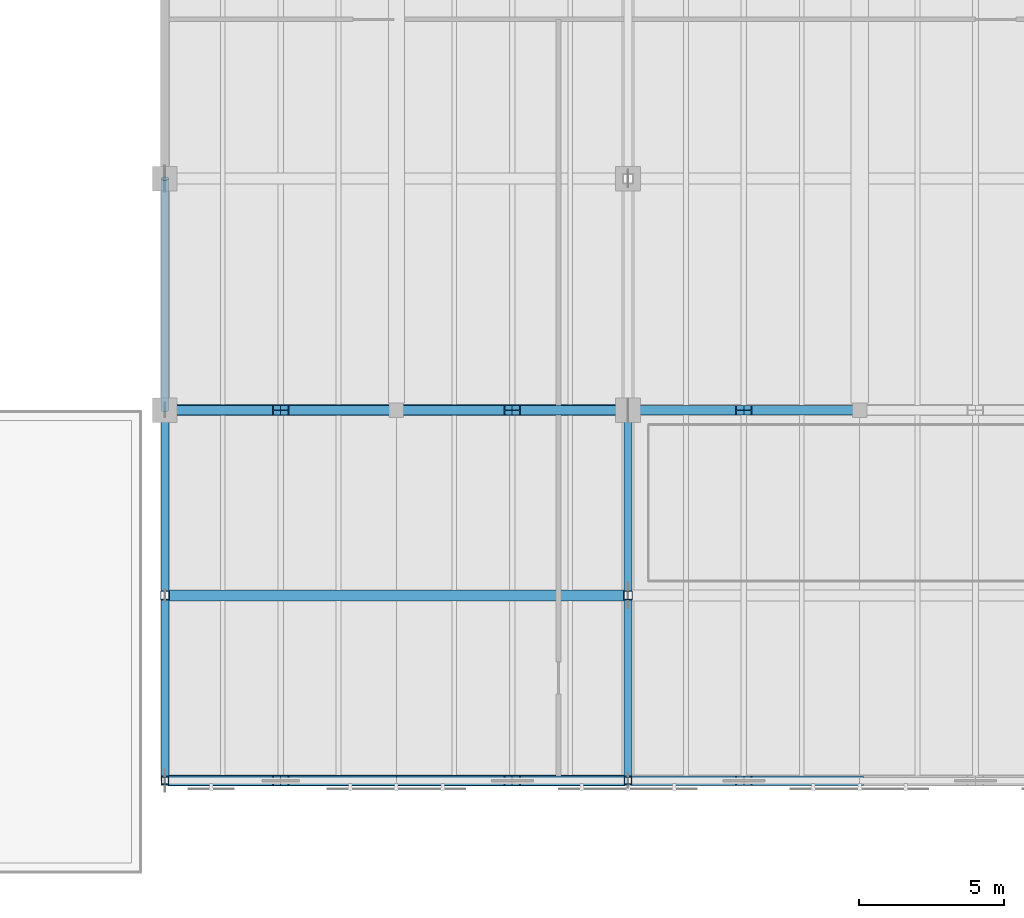
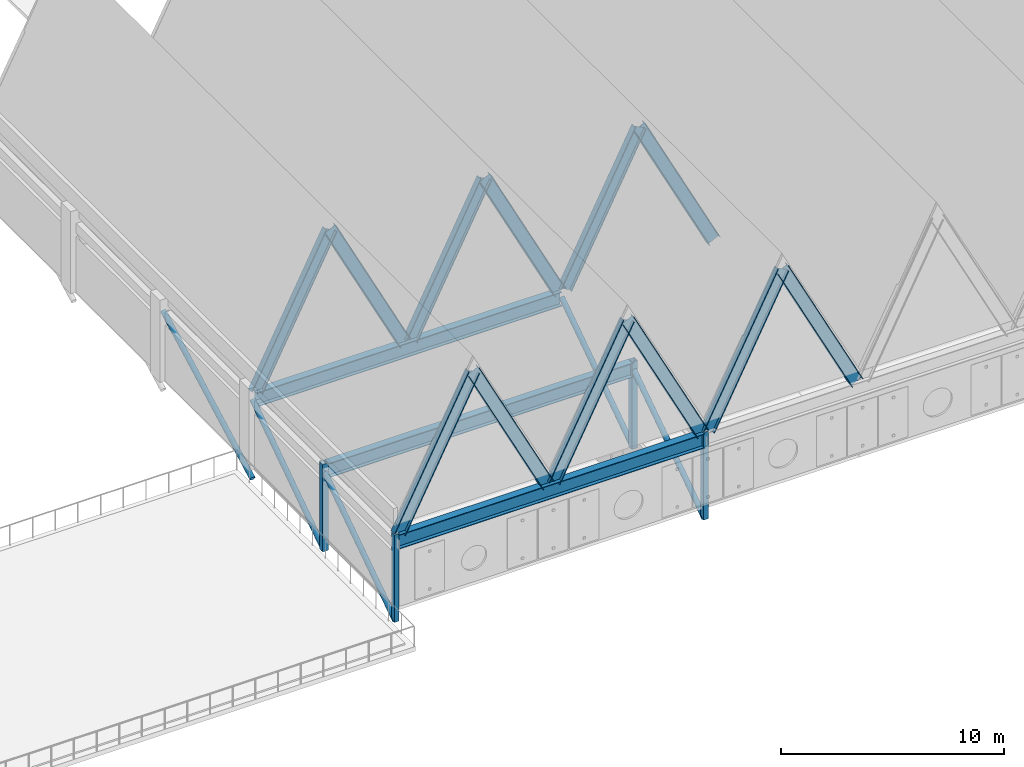
# One storey, part 3 of 72: 21 members, 3 beams.
"""IFC4 building model written with IfcOpenShell, lengths in metres."""

from ifc_helpers import new_model, si_unit, direction, frame, origin, origin_2d, place, context, subcontext, project, spatial, hollow_rectangle, hollow_circle, i_section, extrude, material, material_profile, profile_set, type_object, element, save


model = new_model("IFC4")

# Units and contexts
model_context = context("Model", 3, precision=1e-05, world=origin(), true_north=direction((0.0, 1.0)))
body_context = subcontext(model_context, "Body", "Model", "MODEL_VIEW")
ifc_project = project(units=[si_unit("LENGTHUNIT", "METRE"), si_unit("AREAUNIT", "SQUARE_METRE"), si_unit("VOLUMEUNIT", "CUBIC_METRE"), si_unit("PLANEANGLEUNIT", "RADIAN"), si_unit("MASSUNIT", "GRAM", prefix="KILO")], contexts=[model_context])

# Site, building, storey
site_placement = place(None, origin())
site = spatial("IfcSite", under=ifc_project, at=site_placement, CompositionType="ELEMENT")
building_placement = place(site_placement, origin())
building = spatial("IfcBuilding", under=site, at=building_placement, Name="Tlaxcora Railside Police Headquarters", CompositionType="ELEMENT")
storey_placement = place(building_placement, frame((0.0, 0.0, 13.5)))
storey = spatial("IfcBuildingStorey", under=building, at=storey_placement, Name="L03", CompositionType="ELEMENT", Elevation=13.5)

# Members
ifc_material = material(Name="Steel ASTM A992 Grade 50", Category="steel")
ifc_material_profile_1 = material_profile(ifc_material, hollow_circle(Radius=0.136474609375, WallThickness=0.011962890625, at=origin_2d()), Name="CHS273X12")
ifc_profile_set_1 = profile_set([ifc_material_profile_1], Name="Steel ASTM A992 Grade 50")
member_type_1 = type_object("IfcMemberType", Name="Diagonal Brace Member MB-16", PredefinedType="BRACE", material=ifc_profile_set_1)
member_1_placement = place(storey_placement, frame((46.0, 44.0, 3.52001953125), z_axis=(0.0, -0.879902254176, -0.475154735951), x_axis=(1.0, 0.0, 0.0)))
element("IfcMember", 1, at=member_1_placement, inside=storey, type_object=member_type_1, Name="Truss TR-1 L03 web diagonal 3", PredefinedType="BRACE", context=body_context, shape_type="SweptSolid", body=[
    extrude(hollow_circle(Radius=0.136474609375, WallThickness=0.011962890625, at=origin_2d()), origin(), (0.0, 0.0, 1.0), 9.092041015625),
])
member_2_placement = place(storey_placement, frame((46.0, 36.0, 3.52001953125), z_axis=(0.0, -0.828840609912, -0.559484801724), x_axis=(1.0, 0.0, 0.0)))
element("IfcMember", 2, at=member_2_placement, inside=storey, type_object=member_type_1, Name="Truss TR-1 L03 web diagonal 4", PredefinedType="BRACE", context=body_context, shape_type="SweptSolid", body=[
    extrude(hollow_circle(Radius=0.136474609375, WallThickness=0.011962890625, at=origin_2d()), origin(), (0.0, 0.0, 1.0), 7.721435546875),
])
member_3_placement = place(storey_placement, frame((46.0, 29.60009765625, 3.52001953125), z_axis=(0.0, -0.828850506768, -0.559470139892), x_axis=(1.0, 0.0, 0.0)))
element("IfcMember", 3, at=member_3_placement, inside=storey, type_object=member_type_1, Name="Truss TR-1 L03 web diagonal 5", PredefinedType="BRACE", context=body_context, shape_type="SweptSolid", body=[
    extrude(hollow_circle(Radius=0.136474609375, WallThickness=0.011962890625, at=origin_2d()), origin(), (0.0, 0.0, 1.0), 7.7216796875),
])
member_4_placement = place(storey_placement, frame((62.0, 36.0, 3.52001953125), z_axis=(0.0, -0.828840609912, -0.559484801724), x_axis=(1.0, 0.0, 0.0)))
element("IfcMember", 4, at=member_4_placement, inside=storey, type_object=member_type_1, Name="Truss TR-2 L03 web diagonal 4", PredefinedType="BRACE", context=body_context, shape_type="SweptSolid", body=[
    extrude(hollow_circle(Radius=0.136474609375, WallThickness=0.011962890625, at=origin_2d()), origin(), (0.0, 0.0, 1.0), 7.721435546875),
])
member_5_placement = place(storey_placement, frame((62.0, 29.60009765625, 3.52001953125), z_axis=(0.0, -0.828850506768, -0.559470139892), x_axis=(1.0, 0.0, 0.0)))
element("IfcMember", 5, at=member_5_placement, inside=storey, type_object=member_type_1, Name="Truss TR-2 L03 web diagonal 5", PredefinedType="BRACE", context=body_context, shape_type="SweptSolid", body=[
    extrude(hollow_circle(Radius=0.136474609375, WallThickness=0.011962890625, at=origin_2d()), origin(), (0.0, 0.0, 1.0), 7.7216796875),
])

# Beams
ifc_material_profile_2 = material_profile(ifc_material, i_section(OverallWidth=0.384033203125, OverallDepth=0.784912109375, WebThickness=0.019775390625, FlangeThickness=0.033447265625, at=origin_2d()), Name="W30X211")
ifc_profile_set_2 = profile_set([ifc_material_profile_2], Name="Steel ASTM A992 Grade 50")
beam_type = type_object("IfcBeamType", Name="Primary Frame Girder BM-53", PredefinedType="BEAM", material=ifc_profile_set_2)
for number, where, z_axis, x_axis, name in (
    (6, (46.10009765625, 36.0, 3.5673828125), (1.0, 0.0, 0.0), (0.0, 1.0, 0.0), "Sawtooth roof tie girder Y=36.0"),
    (7, (46.10009765625, 29.60009765625, 3.5673828125), (1.0, 0.0, 0.0), (0.0, 1.0, 0.0), "Sawtooth roof tie girder Y=29.6"),
    (8, (46.10009765625, 23.199951171875, 3.5673828125), (1.0, 0.0, 0.0), (0.0, 1.0, 0.0), "Sawtooth roof tie girder Y=23.2"),
):
    element("IfcBeam", number, at=place(storey_placement, frame(where, z_axis=z_axis, x_axis=x_axis)), inside=storey, type_object=beam_type, Name=name, PredefinedType="BEAM", context=body_context, shape_type="SweptSolid", body=[
        extrude(i_section(OverallWidth=0.384033203125, OverallDepth=0.784912109375, WebThickness=0.019775390625, FlangeThickness=0.033447265625, at=origin_2d()), origin(), (0.0, 0.0, 1.0), 15.7998046875),
    ])

# Members
ifc_material_profile_3 = material_profile(ifc_material, i_section(OverallWidth=0.3291015625, OverallDepth=0.635009765625, WebThickness=0.017822265625, FlangeThickness=0.031005859375, at=origin_2d()), Name="W24X162")
ifc_profile_set_3 = profile_set([ifc_material_profile_3], Name="Steel ASTM A992 Grade 50")
member_type_2 = type_object("IfcMemberType", Name="Truss Chord Member MB-35", PredefinedType="CHORD", material=ifc_profile_set_3)
for number, where, z_axis, x_axis, name in (
    (9, (46.14990234375, 23.199951171875, 3.919921875), (0.455243807773, 0.0, 0.890366820745), (0.0, 1.0, 0.0), "Sawtooth rafter 1W Y=23.2"),
    (10, (53.85009765625, 23.199951171875, 3.919921875), (-0.455243807773, 0.0, 0.890366820745), (0.0, -1.0, 0.0), "Sawtooth rafter 1E Y=23.2"),
    (11, (46.14990234375, 36.0, 3.919921875), (0.455243807773, 0.0, 0.890366820745), (0.0, 1.0, 0.0), "Sawtooth rafter 1W Y=36.0"),
    (12, (53.85009765625, 36.0, 3.919921875), (-0.455243807773, 0.0, 0.890366820745), (0.0, -1.0, 0.0), "Sawtooth rafter 1E Y=36.0"),
    (13, (54.14990234375, 23.199951171875, 3.919921875), (0.455243807773, 0.0, 0.890366820745), (0.0, 1.0, 0.0), "Sawtooth rafter 2W Y=23.2"),
    (14, (61.85009765625, 23.199951171875, 3.919921875), (-0.455243807773, 0.0, 0.890366820745), (0.0, -1.0, 0.0), "Sawtooth rafter 2E Y=23.2"),
    (15, (54.14990234375, 36.0, 3.919921875), (0.455243807773, 0.0, 0.890366820745), (0.0, 1.0, 0.0), "Sawtooth rafter 2W Y=36.0"),
    (16, (61.85009765625, 36.0, 3.919921875), (-0.455243807773, 0.0, 0.890366820745), (0.0, -1.0, 0.0), "Sawtooth rafter 2E Y=36.0"),
    (17, (62.14990234375, 23.199951171875, 3.919921875), (0.455243807773, 0.0, 0.890366820745), (0.0, 1.0, 0.0), "Sawtooth rafter 3W Y=23.2"),
    (18, (69.85009765625, 23.199951171875, 3.919921875), (-0.455243807773, 0.0, 0.890366820745), (0.0, -1.0, 0.0), "Sawtooth rafter 3E Y=23.2"),
    (19, (62.14990234375, 36.0, 3.919921875), (0.455243807773, 0.0, 0.890366820745), (0.0, 1.0, 0.0), "Sawtooth rafter 3W Y=36.0"),
    (20, (69.85009765625, 36.0, 3.919921875), (-0.455243807773, 0.0, 0.890366820745), (0.0, -1.0, 0.0), "Sawtooth rafter 3E Y=36.0"),
):
    element("IfcMember", number, at=place(storey_placement, frame(where, z_axis=z_axis, x_axis=x_axis)), inside=storey, type_object=member_type_2, Name=name, PredefinedType="CHORD", context=body_context, shape_type="SweptSolid", body=[
        extrude(i_section(OverallWidth=0.3291015625, OverallDepth=0.635009765625, WebThickness=0.017822265625, FlangeThickness=0.031005859375, at=origin_2d()), origin(), (0.0, 0.0, 1.0), 8.457275390625),
    ])
ifc_material_profile_4 = material_profile(ifc_material, hollow_rectangle(XDim=0.25, YDim=0.25, WallThickness=0.011962890625, at=origin_2d()), Name="HSS250X250X12")
ifc_profile_set_4 = profile_set([ifc_material_profile_4], Name="Steel ASTM A992 Grade 50")
member_type_3 = type_object("IfcMemberType", Name="Truss Vertical Post MB-22", PredefinedType="POST", material=ifc_profile_set_4)
for number, where, z_axis, x_axis, name in (
    (21, (46.0, 23.199951171875, -0.800048828125), (0.0, 0.0, 1.0), (1.0, 0.0, 0.0), "Truss TR-1 L03 post Y=23.2"),
    (22, (62.0, 23.199951171875, -0.800048828125), (0.0, 0.0, 1.0), (1.0, 0.0, 0.0), "Truss TR-2 L03 post Y=23.2"),
):
    element("IfcMember", number, at=place(storey_placement, frame(where, z_axis=z_axis, x_axis=x_axis)), inside=storey, type_object=member_type_3, Name=name, PredefinedType="POST", context=body_context, shape_type="SweptSolid", body=[
        extrude(hollow_rectangle(XDim=0.25, YDim=0.25, WallThickness=0.011962890625, at=origin_2d()), origin(), (0.0, 0.0, 1.0), 4.780029296875),
    ])
ifc_material_profile_5 = material_profile(ifc_material, hollow_rectangle(XDim=0.300048828125, YDim=0.300048828125, WallThickness=0.011962890625, at=origin_2d()), Name="HSS300X300X12")
ifc_profile_set_5 = profile_set([ifc_material_profile_5], Name="Steel ASTM A992 Grade 50")
member_type_4 = type_object("IfcMemberType", Name="Truss Vertical Post MB-44", PredefinedType="POST", material=ifc_profile_set_5)
for number, where, z_axis, x_axis, name in (
    (23, (46.0, 29.60009765625, -0.800048828125), (0.0, 0.0, 1.0), (1.0, 0.0, 0.0), "Truss TR-1 L03 post Y=29.6"),
    (24, (62.0, 29.60009765625, -0.800048828125), (0.0, 0.0, 1.0), (1.0, 0.0, 0.0), "Truss TR-2 L03 post Y=29.6"),
):
    element("IfcMember", number, at=place(storey_placement, frame(where, z_axis=z_axis, x_axis=x_axis)), inside=storey, type_object=member_type_4, Name=name, PredefinedType="POST", context=body_context, shape_type="SweptSolid", body=[
        extrude(hollow_rectangle(XDim=0.300048828125, YDim=0.300048828125, WallThickness=0.011962890625, at=origin_2d()), origin(), (0.0, 0.0, 1.0), 4.780029296875),
    ])

save(model, "model.ifc")
